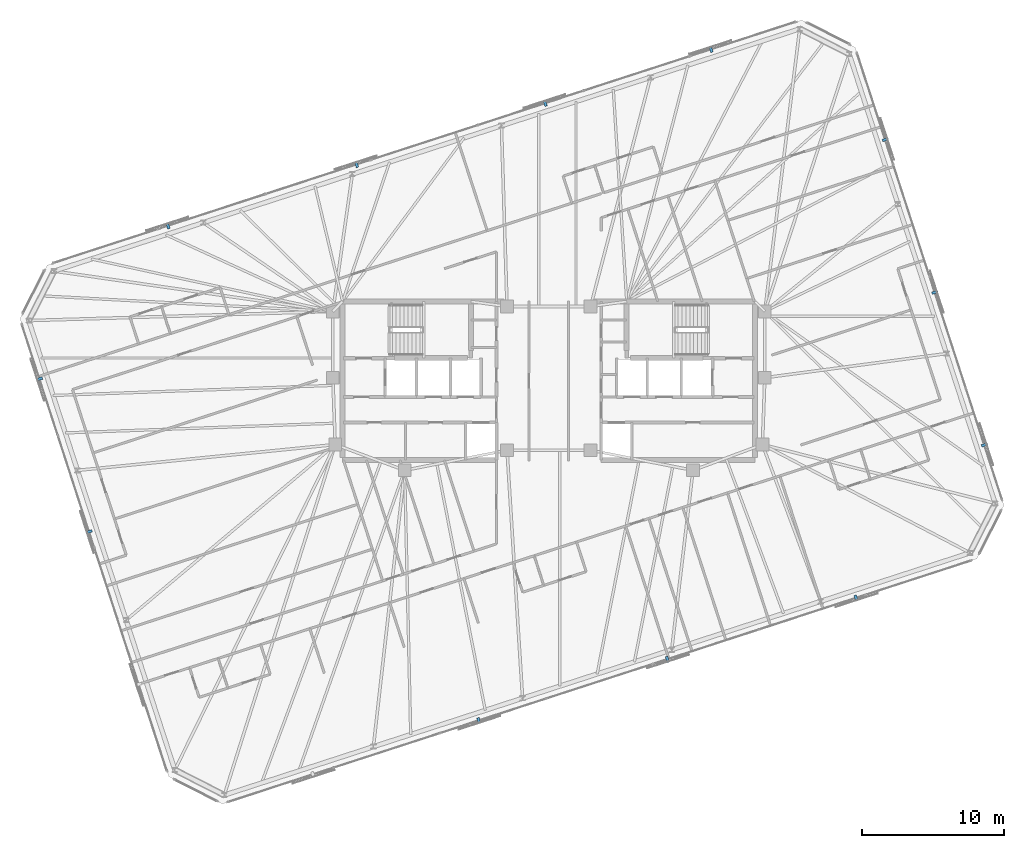
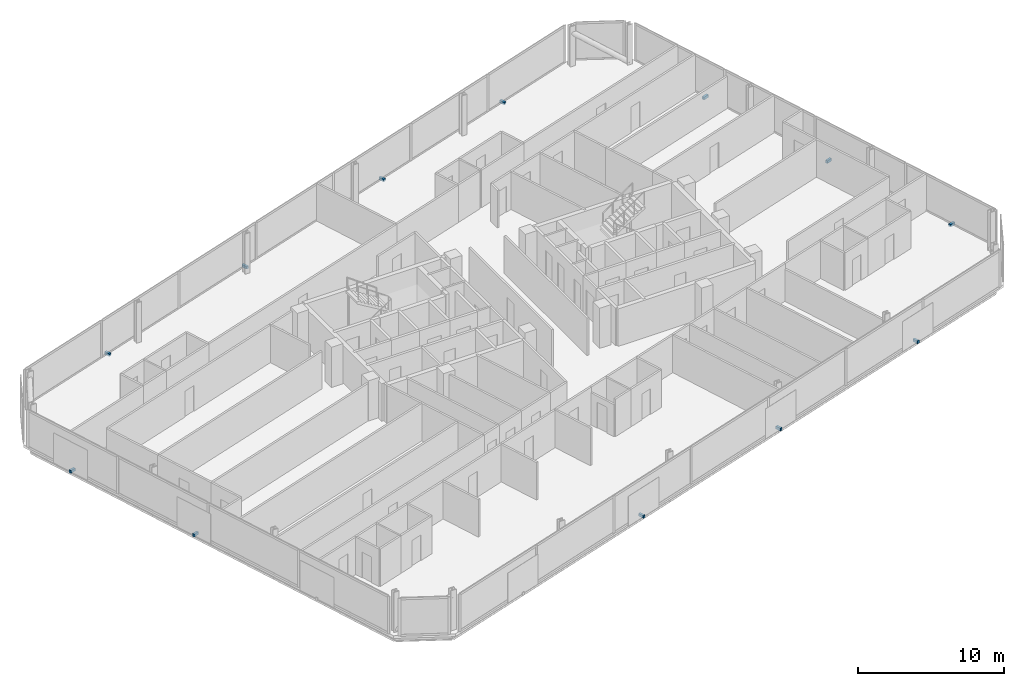
# One storey, part 18 of 19: 12 discrete accessories.
"""IFC4 building model written with IfcOpenShell, lengths in metres."""

from ifc_helpers import new_model, si_unit, direction, frame, origin, origin_2d, place, context, subcontext, project, spatial, rectangle, extrude, material, type_object, element, save


model = new_model("IFC4")

# Units and contexts
model_context = context("Model", 3, precision=1e-05, world=origin(), true_north=direction((0.0, 1.0)))
body_context = subcontext(model_context, "Body", "Model", "MODEL_VIEW")
ifc_project = project(units=[si_unit("LENGTHUNIT", "METRE"), si_unit("AREAUNIT", "SQUARE_METRE"), si_unit("VOLUMEUNIT", "CUBIC_METRE"), si_unit("PLANEANGLEUNIT", "RADIAN"), si_unit("MASSUNIT", "GRAM", prefix="KILO")], contexts=[model_context])

# Site, building, storey
site_placement = place(None, origin())
site = spatial("IfcSite", under=ifc_project, at=site_placement, CompositionType="ELEMENT")
building_placement = place(site_placement, origin())
building = spatial("IfcBuilding", under=site, at=building_placement, Name="Menara Jurai Vektor", CompositionType="ELEMENT")
storey_placement = place(building_placement, frame((0.0, 0.0, 234.35009765625)))
storey = spatial("IfcBuildingStorey", under=building, at=storey_placement, Name="L62", CompositionType="ELEMENT", Elevation=234.35009765625)

# Discrete accessories
ifc_material = material(Name="Steel S355", Category="steel")
discrete_accessory_type = type_object("IfcDiscreteAccessoryType", Name="ENV-ACC-BRACKET", PredefinedType="BRACKET", material=ifc_material)
for number, where, z_axis, x_axis, name in (
    (1, (-4.93798828125, -23.99951171875, -0.1298828125), (0.0, 0.0, 1.0), (0.951056516295, 0.309016994375, 0.0), "Solar Screen Stand-Off Bracket L62-S02"),
    (2, (8.376708984375, -19.673095703125, -0.1298828125), (0.0, 0.0, 1.0), (0.951056516295, 0.309016994375, 0.0), "Solar Screen Stand-Off Bracket L62-S03"),
    (3, (21.69140625, -15.346923828125, -0.1298828125), (0.0, 0.0, 1.0), (0.951056516295, 0.309016994375, 0.0), "Solar Screen Stand-Off Bracket L62-S04"),
    (4, (30.76220703125, -4.527587890625, -0.1298828125), (0.0, 0.0, 1.0), (-0.309016994375, 0.951056516295, 0.0), "Solar Screen Stand-Off Bracket L62-S05"),
    (5, (27.260009765625, 6.2509765625, -0.1298828125), (0.0, 0.0, 1.0), (-0.309016994375, 0.951056516295, 0.0), "Solar Screen Stand-Off Bracket L62-S06"),
    (6, (23.7578125, 17.029541015625, -0.1298828125), (0.0, 0.0, 1.0), (-0.309016994375, 0.951056516295, 0.0), "Solar Screen Stand-Off Bracket L62-S07"),
    (7, (11.455078125, 23.406494140625, -0.1298828125), (0.0, 0.0, 1.0), (-0.951056516295, -0.309016994375, 0.0), "Solar Screen Stand-Off Bracket L62-S08"),
    (8, (-0.261962890625, 19.599365234375, -0.1298828125), (0.0, 0.0, 1.0), (-0.951056516295, -0.309016994375, 0.0), "Solar Screen Stand-Off Bracket L62-S09"),
    (9, (-13.576904296875, 15.273193359375, -0.1298828125), (0.0, 0.0, 1.0), (-0.951056516295, -0.309016994375, 0.0), "Solar Screen Stand-Off Bracket L62-S10"),
    (10, (-26.8916015625, 10.947021484375, -0.1298828125), (0.0, 0.0, 1.0), (-0.951056516295, -0.309016994375, 0.0), "Solar Screen Stand-Off Bracket L62-S11"),
    (11, (-35.962158203125, 0.127685546875, -0.1298828125), (0.0, 0.0, 1.0), (0.309016994375, -0.951056516295, 0.0), "Solar Screen Stand-Off Bracket L62-S12"),
    (12, (-32.4599609375, -10.65087890625, -0.1298828125), (0.0, 0.0, 1.0), (0.309016994375, -0.951056516295, 0.0), "Solar Screen Stand-Off Bracket L62-S13"),
):
    element("IfcDiscreteAccessory", number, at=place(storey_placement, frame(where, z_axis=z_axis, x_axis=x_axis)), inside=storey, type_object=discrete_accessory_type, Name=name, PredefinedType="BRACKET", context=body_context, shape_type="SweptSolid", body=[
        extrude(rectangle(XDim=0.179931640625, YDim=0.43994140625, at=origin_2d()), origin(), (0.0, 0.0, 1.0), 0.219970703125),
    ])

save(model, "model.ifc")
